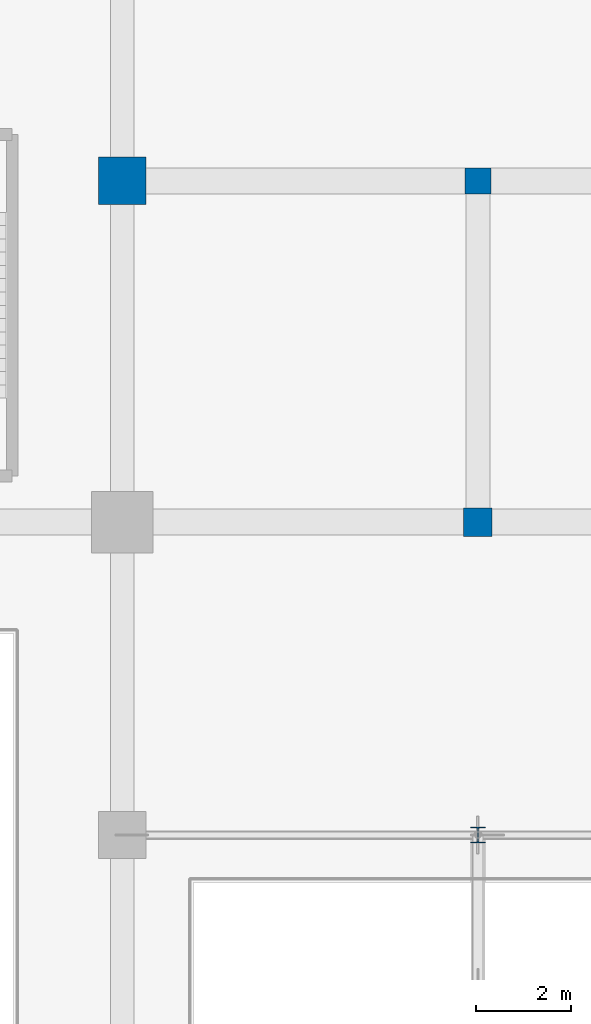
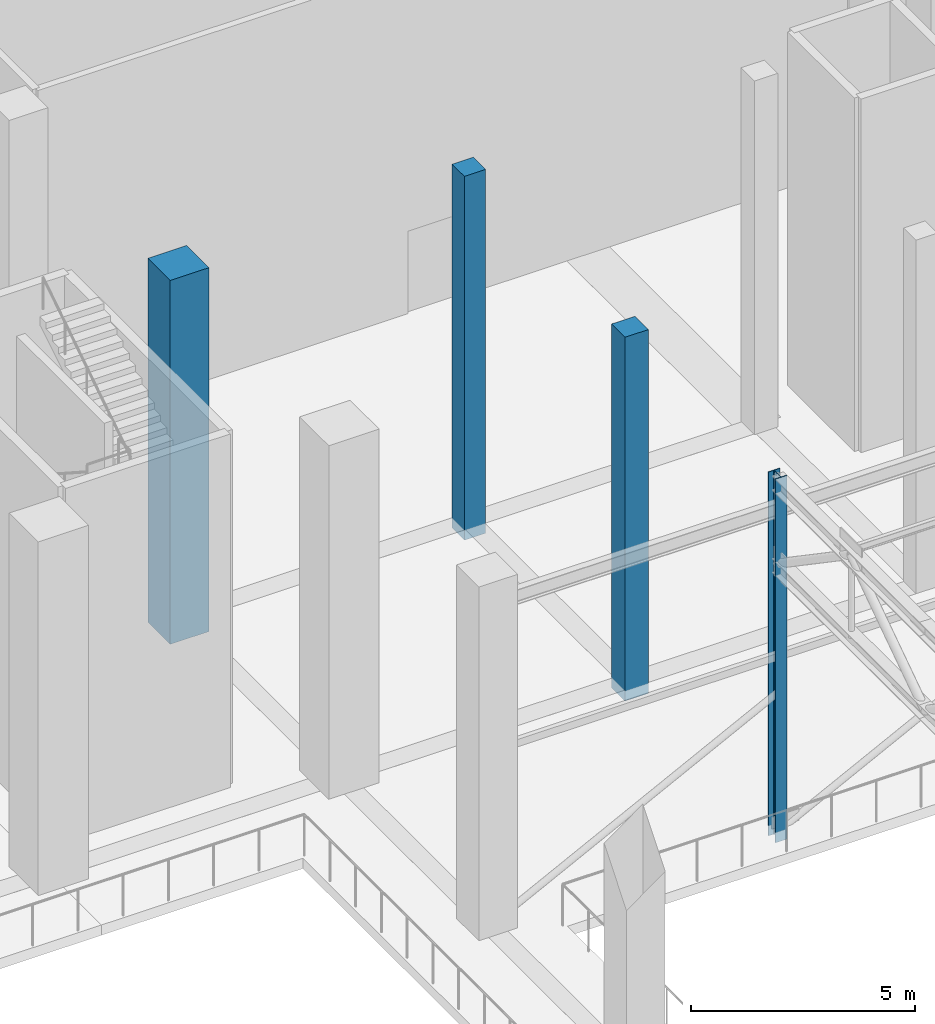
# One storey, part 3 of 80: 4 columns.
"""IFC4 building model written with IfcOpenShell, lengths in metres."""

from ifc_helpers import new_model, si_unit, direction, frame, origin, origin_2d, place, context, subcontext, project, spatial, rectangle, i_section, extrude, material, material_profile, profile_set, type_object, element, save


model = new_model("IFC4")

# Units and contexts
model_context = context("Model", 3, precision=1e-05, world=origin(), true_north=direction((0.0, 1.0)))
body_context = subcontext(model_context, "Body", "Model", "MODEL_VIEW")
ifc_project = project(units=[si_unit("LENGTHUNIT", "METRE"), si_unit("AREAUNIT", "SQUARE_METRE"), si_unit("VOLUMEUNIT", "CUBIC_METRE"), si_unit("PLANEANGLEUNIT", "RADIAN"), si_unit("MASSUNIT", "GRAM", prefix="KILO")], contexts=[model_context])

# Site, building, storey
site_placement = place(None, origin())
site = spatial("IfcSite", under=ifc_project, at=site_placement, CompositionType="ELEMENT")
building_placement = place(site_placement, origin())
building = spatial("IfcBuilding", under=site, at=building_placement, Name="Akrevak Sports Hall", CompositionType="ELEMENT")
storey_placement = place(building_placement, frame((0.0, 0.0, 14.0)))
storey = spatial("IfcBuildingStorey", under=building, at=storey_placement, Name="L03", CompositionType="ELEMENT", Elevation=14.0)

# Columns
ifc_material_1 = material(Name="Concrete C50/60", Category="concrete")
ifc_material_profile_1 = material_profile(ifc_material_1, rectangle(XDim=1.0, YDim=1.0, at=origin_2d()), Name="RC 1000x1000", Category="concrete")
ifc_profile_set_1 = profile_set([ifc_material_profile_1], Name="Concrete C50/60")
column_type_1 = type_object("IfcColumnType", Name="STR-COL-RC1000", PredefinedType="COLUMN", material=ifc_profile_set_1)
column_1_placement = place(storey_placement, frame((115.5, 62.39990234375, -0.280029296875), z_axis=(0.0, 0.0, 1.0), x_axis=(1.0, 0.0, 0.0)))
element("IfcColumn", 1, at=column_1_placement, inside=storey, type_object=column_type_1, Name="Column 16/J (L03)", PredefinedType="COLUMN", context=body_context, shape_type="SweptSolid", body=[
    extrude(rectangle(XDim=1.0, YDim=1.0, at=origin_2d()), origin(), (0.0, 0.0, 1.0), 9.929931640625),
])
ifc_material_2 = material(Name="Concrete C40/50", Category="concrete")
ifc_material_profile_2 = material_profile(ifc_material_2, rectangle(XDim=0.550048828125, YDim=0.550048828125, at=origin_2d()), Name="RC 550x550", Category="concrete")
ifc_profile_set_2 = profile_set([ifc_material_profile_2], Name="Concrete C40/50")
column_type_2 = type_object("IfcColumnType", Name="STR-COL-RC550", PredefinedType="COLUMN", material=ifc_profile_set_2)
column_2_placement = place(storey_placement, frame((123.0, 62.39990234375, -0.280029296875), z_axis=(0.0, 0.0, 1.0), x_axis=(1.0, 0.0, 0.0)))
element("IfcColumn", 2, at=column_2_placement, inside=storey, type_object=column_type_2, Name="Column 17/J (L03)", PredefinedType="COLUMN", context=body_context, shape_type="SweptSolid", body=[
    extrude(rectangle(XDim=0.550048828125, YDim=0.550048828125, at=origin_2d()), origin(), (0.0, 0.0, 1.0), 9.929931640625),
])
ifc_material_profile_3 = material_profile(ifc_material_2, rectangle(XDim=0.60009765625, YDim=0.60009765625, at=origin_2d()), Name="RC 600x600", Category="concrete")
ifc_profile_set_3 = profile_set([ifc_material_profile_3], Name="Concrete C40/50")
column_type_3 = type_object("IfcColumnType", Name="STR-COL-RC600", PredefinedType="COLUMN", material=ifc_profile_set_3)
column_3_placement = place(storey_placement, frame((123.0, 55.199951171875, -0.280029296875), z_axis=(0.0, 0.0, 1.0), x_axis=(1.0, 0.0, 0.0)))
element("IfcColumn", 3, at=column_3_placement, inside=storey, type_object=column_type_3, Name="Column 17/I (L03)", PredefinedType="COLUMN", context=body_context, shape_type="SweptSolid", body=[
    extrude(rectangle(XDim=0.60009765625, YDim=0.60009765625, at=origin_2d()), origin(), (0.0, 0.0, 1.0), 9.929931640625),
])
ifc_material_3 = material(Name="Steel S355", Category="steel")
ifc_material_profile_4 = material_profile(ifc_material_3, i_section(OverallWidth=0.300048828125, OverallDepth=0.330078125, WebThickness=0.009521484375, FlangeThickness=0.0166015625, FilletRadius=0.027099609375, at=origin_2d()), Name="HEA 340", Category="steel")
ifc_profile_set_4 = profile_set([ifc_material_profile_4], Name="Steel S355")
column_type_4 = type_object("IfcColumnType", Name="STR-COL-STL-HEA340", PredefinedType="COLUMN", material=ifc_profile_set_4)
column_4_placement = place(storey_placement, frame((123.0, 48.60009765625, -0.280029296875), z_axis=(0.0, 0.0, 1.0), x_axis=(1.0, 0.0, 0.0)))
element("IfcColumn", 4, at=column_4_placement, inside=storey, type_object=column_type_4, Name="Climbing Wall Steel Column SC-1 (L03)", PredefinedType="COLUMN", context=body_context, shape_type="SweptSolid", body=[
    extrude(i_section(OverallWidth=0.300048828125, OverallDepth=0.330078125, WebThickness=0.009521484375, FlangeThickness=0.0166015625, FilletRadius=0.027099609375, at=origin_2d()), origin(), (0.0, 0.0, 1.0), 9.929931640625),
])

save(model, "model.ifc")
